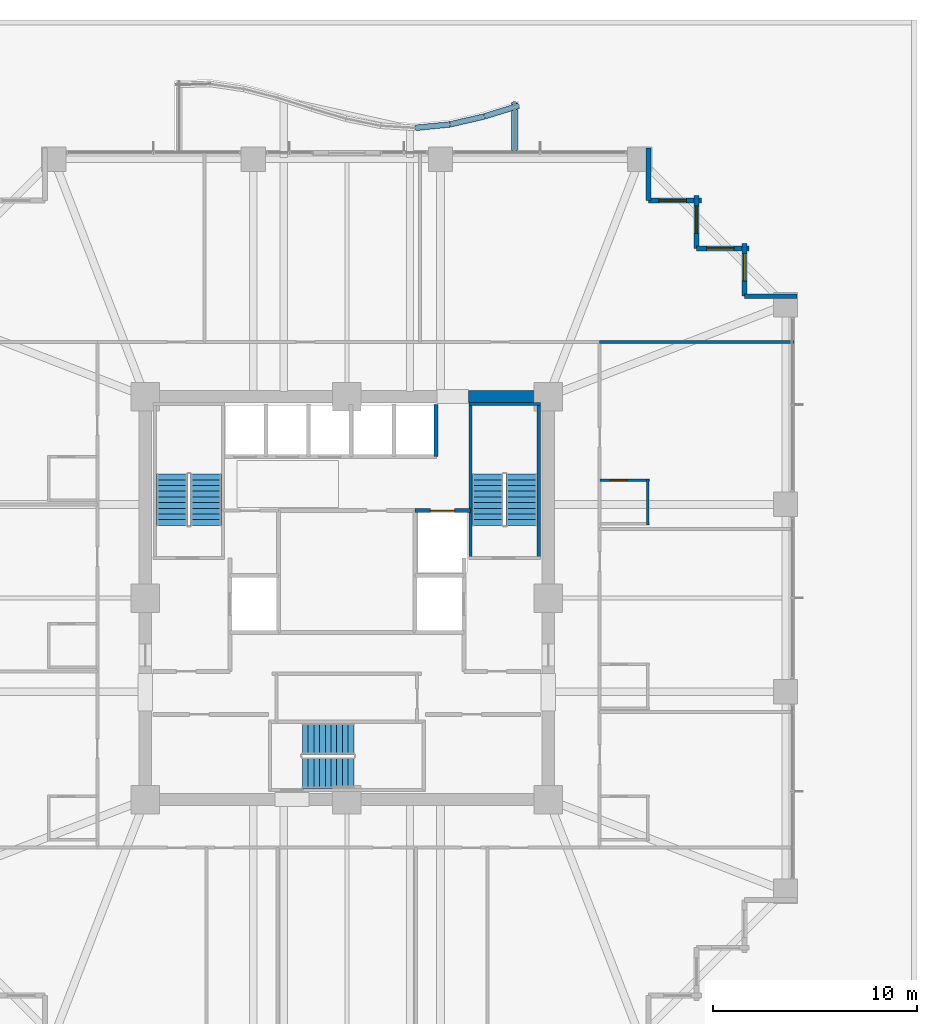
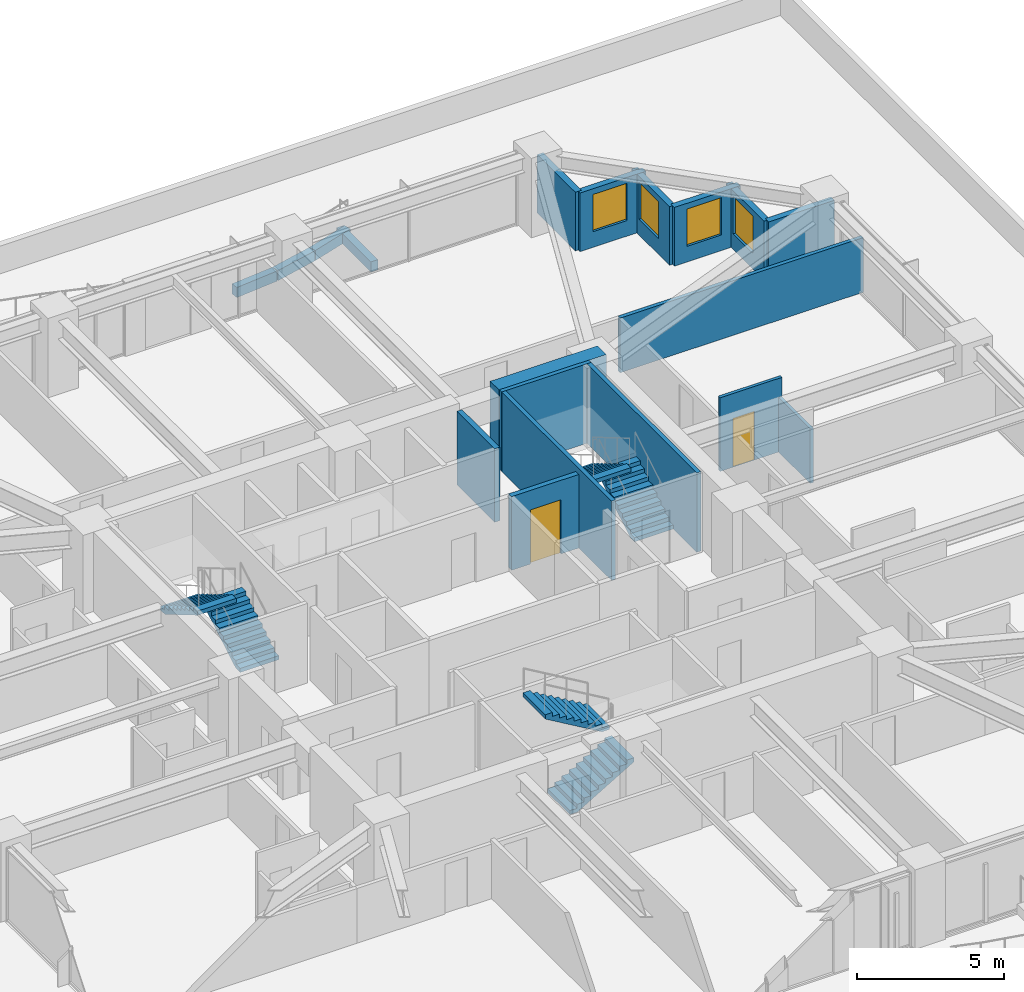
# One storey, part 34 of 36: 19 walls, 6 stair flights, 4 windows, 2 doors, 6 openings, 3 elements without a shape of their own.
"""IFC4 building model written with IfcOpenShell, lengths in metres."""

from ifc_helpers import new_model, si_unit, direction, frame, frame_2d, origin, place, context, subcontext, project, spatial, polyline, rectangle, outline, extrude, material, layer, layer_set, type_object, element, fill, aggregate, save


model = new_model("IFC4")

# Units and contexts
model_context = context("Model", 3, precision=1e-05, world=origin(), true_north=direction((0.0, 1.0)))
body_context = subcontext(model_context, "Body", "Model", "MODEL_VIEW")
ifc_project = project(units=[si_unit("LENGTHUNIT", "METRE"), si_unit("AREAUNIT", "SQUARE_METRE"), si_unit("VOLUMEUNIT", "CUBIC_METRE"), si_unit("PLANEANGLEUNIT", "RADIAN"), si_unit("MASSUNIT", "GRAM", prefix="KILO")], contexts=[model_context])

# Site, building, storey
site_placement = place(None, origin())
site = spatial("IfcSite", under=ifc_project, at=site_placement, CompositionType="ELEMENT")
building_placement = place(site_placement, origin())
building = spatial("IfcBuilding", under=site, at=building_placement, Name="Kolvaren Belvedere", CompositionType="ELEMENT")
storey_placement = place(building_placement, frame((0.0, 0.0, 23.800048828125)))
storey = spatial("IfcBuildingStorey", under=building, at=storey_placement, Name="L06", CompositionType="ELEMENT", Elevation=23.800048828125)

# Walls
ifc_material_1 = material(Name="Concrete C60/75", Category="concrete")
ifc_layer_1 = layer(ifc_material_1, 0.60009765625)
ifc_layer_set_1 = layer_set([ifc_layer_1], Name="Concrete C60/75")
wall_type_1 = type_object("IfcWallType", Name="CW-CORE-600", PredefinedType="SHEAR", material=ifc_layer_set_1)
wall_1_placement = place(storey_placement, frame((5.97998046875, 9.89990234375, 0.0), z_axis=(0.0, 0.0, 1.0), x_axis=(1.0, 0.0, 0.0)))
element("IfcWall", 1, at=wall_1_placement, inside=storey, type_object=wall_type_1, Name="L06 North Core Shear Wall 2", PredefinedType="SHEAR", context=body_context, shape_type="SweptSolid", body=[
    extrude(rectangle(XDim=4.219970703125, YDim=0.60009765625, at=frame_2d((2.10986328125, 0.0))), origin(), (0.0, 0.0, 1.0), 3.300048828125),
])
ifc_material_2 = material(Name="Concrete C50/60", Category="concrete")
ifc_layer_2 = layer(ifc_material_2, 0.159912109375)
ifc_layer_set_2 = layer_set([ifc_layer_2], Name="Concrete C50/60")
wall_type_2 = type_object("IfcWallType", Name="CW-STAIR-160", PredefinedType="SHEAR", material=ifc_layer_set_2)
wall_2_placement = place(storey_placement, frame((6.0, 9.530029296875, 0.0), z_axis=(0.0, 0.0, 1.0), x_axis=(1.0, 0.0, 0.0)))
element("IfcWall", 2, at=wall_2_placement, inside=storey, type_object=wall_type_2, Name="L06 Stair ST-2 North Shear Wall", PredefinedType="SHEAR", context=body_context, shape_type="SweptSolid", body=[
    extrude(rectangle(XDim=3.52001953125, YDim=0.159912109375, at=frame_2d((1.760009765625, 0.0))), origin(), (0.0, 0.0, 1.0), 3.300048828125),
])
for number, where, z_axis, x_axis, name in (
    (3, (6.080078125, 1.969970703125, 0.0), (0.0, 0.0, 1.0), (0.0, 1.0, 0.0), "L06 Stair ST-2 West Shear Wall"),
    (4, (9.429931640625, 1.969970703125, 0.0), (0.0, 0.0, 1.0), (0.0, 1.0, 0.0), "L06 Stair ST-2 East Shear Wall"),
):
    element("IfcWall", number, at=place(storey_placement, frame(where, z_axis=z_axis, x_axis=x_axis)), inside=storey, type_object=wall_type_2, Name=name, PredefinedType="SHEAR", context=body_context, shape_type="SweptSolid", body=[
        extrude(rectangle(XDim=7.56005859375, YDim=0.159912109375, at=frame_2d((3.780029296875, 0.0))), origin(), (0.0, 0.0, 1.0), 3.300048828125),
    ])
ifc_material_3 = material(Name="Insulated pale-metal facade wall assembly", Category="aluminium")
ifc_layer_3 = layer(ifc_material_3, 0.239990234375)
ifc_layer_set_3 = layer_set([ifc_layer_3], Name="Insulated pale-metal facade wall assembly")
wall_type_3 = type_object("IfcWallType", Name="WL-EXT-240", PredefinedType="STANDARD", material=ifc_layer_set_3)
wall_3_placement = place(storey_placement, frame((19.530029296875, 14.830078125, 0.0), z_axis=(0.0, 0.0, 1.0), x_axis=(1.0, 0.0, 0.0)))
element("IfcWall", 5, at=wall_3_placement, inside=storey, type_object=wall_type_3, Name="L06 Serrated Corner Facade Wall 9", PredefinedType="STANDARD", context=body_context, shape_type="SweptSolid", body=[
    extrude(rectangle(XDim=2.590087890625, YDim=0.239990234375, at=frame_2d((1.294921875, 0.0))), origin(), (0.0, 0.0, 1.0), 2.43896484375),
])

# Wall, opening, window
wall_4_placement = place(storey_placement, frame((19.530029296875, 17.419921875, 0.0), z_axis=(0.0, 0.0, 1.0), x_axis=(0.0, -1.0, 0.0)))
wall_4 = element("IfcWall", 6, at=wall_4_placement, inside=storey, type_object=wall_type_3, Name="L06 Serrated Corner Facade Wall 10", PredefinedType="STANDARD", context=body_context, shape_type="SweptSolid", body=[
    extrude(rectangle(XDim=2.58984375, YDim=0.239990234375, at=frame_2d((1.294921875, 0.0))), origin(), (0.0, 0.0, 1.0), 2.43896484375),
])
opening_1_placement = place(wall_4_placement, frame((0.5, 0.0, 0.64990234375)))
opening_1 = element("IfcOpeningElement", 7, at=opening_1_placement, cuts=wall_4, Name="Opening W-1350", PredefinedType="OPENING", context=body_context, shape_type="SweptSolid", body=[
    extrude(rectangle(XDim=1.35009765625, YDim=1.550048828125, at=frame_2d((0.675048828125, 0.77490234375))), frame((0.0, 0.1298828125, 0.0), z_axis=(0.0, -1.0, 0.0), x_axis=(1.0, 0.0, 0.0)), (0.0, 0.0, 1.0), 0.260009765625),
])
ifc_material_4 = material(Name="Low-iron triple insulated glass", Category="glass")
window_type = type_object("IfcWindowType", Name="WN-CORN-1350", PartitioningType="SINGLE_PANEL", PredefinedType="WINDOW", material=ifc_material_4)
window_1_placement = place(opening_1_placement, origin())
window_1 = element("IfcWindow", 8, at=window_1_placement, inside=storey, type_object=window_type, Name="L06 Serrated Corner Vision Window 10", OverallHeight=1.550048828125, OverallWidth=1.35009765625, PartitioningType="SINGLE_PANEL", PredefinedType="WINDOW", context=body_context, shape_type="SweptSolid", body=[
    extrude(rectangle(XDim=1.35009765625, YDim=1.550048828125, at=frame_2d((0.675048828125, 0.77490234375))), frame((0.0, 0.030029296875, 0.0), z_axis=(0.0, -1.0, 0.0), x_axis=(1.0, 0.0, 0.0)), (0.0, 0.0, 1.0), 0.06005859375),
])
fill(opening_1, window_1)

wall_5_placement = place(storey_placement, frame((17.179931640625, 17.179931640625, 0.0), z_axis=(0.0, 0.0, 1.0), x_axis=(1.0, 0.0, 0.0)))
wall_5 = element("IfcWall", 9, at=wall_5_placement, inside=storey, type_object=wall_type_3, Name="L06 Serrated Corner Facade Wall 11", PredefinedType="STANDARD", context=body_context, shape_type="SweptSolid", body=[
    extrude(rectangle(XDim=2.590087890625, YDim=0.239990234375, at=frame_2d((1.294921875, 0.0))), origin(), (0.0, 0.0, 1.0), 2.43896484375),
])
opening_2_placement = place(wall_5_placement, frame((0.5, 0.0, 0.64990234375)))
opening_2 = element("IfcOpeningElement", 10, at=opening_2_placement, cuts=wall_5, Name="Opening W-1350", PredefinedType="OPENING", context=body_context, shape_type="SweptSolid", body=[
    extrude(rectangle(XDim=1.35009765625, YDim=1.550048828125, at=frame_2d((0.675048828125, 0.77490234375))), frame((0.0, 0.1298828125, 0.0), z_axis=(0.0, -1.0, 0.0), x_axis=(1.0, 0.0, 0.0)), (0.0, 0.0, 1.0), 0.260009765625),
])
window_2_placement = place(opening_2_placement, origin())
window_2 = element("IfcWindow", 11, at=window_2_placement, inside=storey, type_object=window_type, Name="L06 Serrated Corner Vision Window 11", OverallHeight=1.550048828125, OverallWidth=1.35009765625, PartitioningType="SINGLE_PANEL", PredefinedType="WINDOW", context=body_context, shape_type="SweptSolid", body=[
    extrude(rectangle(XDim=1.35009765625, YDim=1.550048828125, at=frame_2d((0.675048828125, 0.77490234375))), frame((0.0, 0.030029296875, 0.0), z_axis=(0.0, -1.0, 0.0), x_axis=(1.0, 0.0, 0.0)), (0.0, 0.0, 1.0), 0.06005859375),
])
fill(opening_2, window_2)

wall_6_placement = place(storey_placement, frame((17.179931640625, 19.77001953125, 0.0), z_axis=(0.0, 0.0, 1.0), x_axis=(0.0, -1.0, 0.0)))
wall_6 = element("IfcWall", 12, at=wall_6_placement, inside=storey, type_object=wall_type_3, Name="L06 Serrated Corner Facade Wall 12", PredefinedType="STANDARD", context=body_context, shape_type="SweptSolid", body=[
    extrude(rectangle(XDim=2.590087890625, YDim=0.239990234375, at=frame_2d((1.294921875, 0.0))), origin(), (0.0, 0.0, 1.0), 2.43896484375),
])
opening_3_placement = place(wall_6_placement, frame((0.5, 0.0, 0.64990234375)))
opening_3 = element("IfcOpeningElement", 13, at=opening_3_placement, cuts=wall_6, Name="Opening W-1350", PredefinedType="OPENING", context=body_context, shape_type="SweptSolid", body=[
    extrude(rectangle(XDim=1.35009765625, YDim=1.550048828125, at=frame_2d((0.675048828125, 0.77490234375))), frame((0.0, 0.1298828125, 0.0), z_axis=(0.0, -1.0, 0.0), x_axis=(1.0, 0.0, 0.0)), (0.0, 0.0, 1.0), 0.260009765625),
])
window_3_placement = place(opening_3_placement, origin())
window_3 = element("IfcWindow", 14, at=window_3_placement, inside=storey, type_object=window_type, Name="L06 Serrated Corner Vision Window 12", OverallHeight=1.550048828125, OverallWidth=1.35009765625, PartitioningType="SINGLE_PANEL", PredefinedType="WINDOW", context=body_context, shape_type="SweptSolid", body=[
    extrude(rectangle(XDim=1.35009765625, YDim=1.550048828125, at=frame_2d((0.675048828125, 0.77490234375))), frame((0.0, 0.030029296875, 0.0), z_axis=(0.0, -1.0, 0.0), x_axis=(1.0, 0.0, 0.0)), (0.0, 0.0, 1.0), 0.06005859375),
])
fill(opening_3, window_3)

wall_7_placement = place(storey_placement, frame((14.830078125, 19.530029296875, 0.0), z_axis=(0.0, 0.0, 1.0), x_axis=(1.0, 0.0, 0.0)))
wall_7 = element("IfcWall", 15, at=wall_7_placement, inside=storey, type_object=wall_type_3, Name="L06 Serrated Corner Facade Wall 13", PredefinedType="STANDARD", context=body_context, shape_type="SweptSolid", body=[
    extrude(rectangle(XDim=2.58984375, YDim=0.239990234375, at=frame_2d((1.294921875, 0.0))), origin(), (0.0, 0.0, 1.0), 2.43896484375),
])
opening_4_placement = place(wall_7_placement, frame((0.5, 0.0, 0.64990234375)))
opening_4 = element("IfcOpeningElement", 16, at=opening_4_placement, cuts=wall_7, Name="Opening W-1350", PredefinedType="OPENING", context=body_context, shape_type="SweptSolid", body=[
    extrude(rectangle(XDim=1.35009765625, YDim=1.550048828125, at=frame_2d((0.675048828125, 0.77490234375))), frame((0.0, 0.1298828125, 0.0), z_axis=(0.0, -1.0, 0.0), x_axis=(1.0, 0.0, 0.0)), (0.0, 0.0, 1.0), 0.260009765625),
])
window_4_placement = place(opening_4_placement, origin())
window_4 = element("IfcWindow", 17, at=window_4_placement, inside=storey, type_object=window_type, Name="L06 Serrated Corner Vision Window 13", OverallHeight=1.550048828125, OverallWidth=1.35009765625, PartitioningType="SINGLE_PANEL", PredefinedType="WINDOW", context=body_context, shape_type="SweptSolid", body=[
    extrude(rectangle(XDim=1.35009765625, YDim=1.550048828125, at=frame_2d((0.675048828125, 0.77490234375))), frame((0.0, 0.030029296875, 0.0), z_axis=(0.0, -1.0, 0.0), x_axis=(1.0, 0.0, 0.0)), (0.0, 0.0, 1.0), 0.06005859375),
])
fill(opening_4, window_4)

# Walls
wall_8_placement = place(storey_placement, frame((14.830078125, 22.1201171875, 0.0), z_axis=(0.0, 0.0, 1.0), x_axis=(0.0, -1.0, 0.0)))
element("IfcWall", 18, at=wall_8_placement, inside=storey, type_object=wall_type_3, Name="L06 Serrated Corner Facade Wall 14", PredefinedType="STANDARD", context=body_context, shape_type="SweptSolid", body=[
    extrude(rectangle(XDim=2.590087890625, YDim=0.239990234375, at=frame_2d((1.294921875, 0.0))), origin(), (0.0, 0.0, 1.0), 2.43896484375),
])
ifc_material_5 = material(Name="Gypsum acoustic partition assembly", Category="gypsum")
ifc_layer_4 = layer(ifc_material_5, 0.14990234375)
ifc_layer_set_4 = layer_set([ifc_layer_4], Name="Gypsum acoustic partition assembly")
wall_type_4 = type_object("IfcWallType", Name="WL-PART-150", PredefinedType="PARTITIONING", material=ifc_layer_set_4)
wall_9_placement = place(storey_placement, frame((12.419921875, 12.580078125, 0.0), z_axis=(0.0, 0.0, 1.0), x_axis=(1.0, 0.0, 0.0)))
element("IfcWall", 19, at=wall_9_placement, inside=storey, type_object=wall_type_4, Name="L06 Wing Divider PW-L06-QNE", PredefinedType="PARTITIONING", context=body_context, shape_type="SweptSolid", body=[
    extrude(rectangle(XDim=9.56005859375, YDim=0.14990234375, at=frame_2d((4.780029296875, 0.0))), origin(), (0.0, 0.0, 1.0), 2.27197265625),
])
ifc_material_6 = material(Name="Precast concrete C40/50", Category="concrete")
ifc_layer_5 = layer(ifc_material_6, 0.300048828125)
ifc_layer_set_5 = layer_set([ifc_layer_5], Name="Precast concrete C40/50")
wall_type_5 = type_object("IfcWallType", Name="WL-PLANTER-300", PredefinedType="PARAPET", material=ifc_layer_set_5)
wall_10_placement = place(storey_placement, frame((8.239990234375, 22.0, -0.06005859375), z_axis=(0.0, 0.0, 1.0), x_axis=(0.0, 1.0, 0.0)))
element("IfcWall", 20, at=wall_10_placement, inside=storey, type_object=wall_type_5, Name="L06 Precast Structural Planter Wall BAL-N-11", PredefinedType="PARAPET", context=body_context, shape_type="SweptSolid", body=[
    extrude(rectangle(XDim=2.340087890625, YDim=0.280029296875, at=frame_2d((1.169921875, 0.0))), origin(), (0.0, 0.0, 1.0), 0.419921875),
])
wall_11_placement = place(storey_placement, frame((8.447265625, 24.187255859375, -0.06005859375), z_axis=(0.0, 0.0, 1.0), x_axis=(-0.95524013163, -0.295831524561, 0.0)))
element("IfcWall", 21, at=wall_11_placement, inside=storey, type_object=wall_type_5, Name="L06 Precast Structural Planter Wall BAL-N-12", PredefinedType="PARAPET", context=body_context, shape_type="SweptSolid", body=[
    extrude(rectangle(XDim=1.758544921875, YDim=0.280029296875, at=frame_2d((0.87939453125, 0.0))), origin(), (0.0, 0.0, 1.0), 0.419921875),
])
wall_12_placement = place(storey_placement, frame((6.75634765625, 23.663818359375, -0.06005859375), z_axis=(0.0, 0.0, 1.0), x_axis=(-0.973890253884, -0.227019323824, 0.0)))
element("IfcWall", 22, at=wall_12_placement, inside=storey, type_object=wall_type_5, Name="L06 Precast Structural Planter Wall BAL-N-13", PredefinedType="PARAPET", context=body_context, shape_type="SweptSolid", body=[
    extrude(rectangle(XDim=1.724853515625, YDim=0.280029296875, at=frame_2d((0.8623046875, 0.0))), origin(), (0.0, 0.0, 1.0), 0.419921875),
])
wall_13_placement = place(storey_placement, frame((5.0556640625, 23.268798828125, -0.06005859375), z_axis=(0.0, 0.0, 1.0), x_axis=(-0.995152499202, -0.098343801694, 0.0)))
element("IfcWall", 23, at=wall_13_placement, inside=storey, type_object=wall_type_5, Name="L06 Precast Structural Planter Wall BAL-N-14", PredefinedType="PARAPET", context=body_context, shape_type="SweptSolid", body=[
    extrude(rectangle(XDim=1.688232421875, YDim=0.280029296875, at=frame_2d((0.84423828125, 0.0))), origin(), (0.0, 0.0, 1.0), 0.419921875),
])

# Wall, opening, door
ifc_material_7 = material(Name="Concrete C50/60", Category="concrete")
ifc_layer_6 = layer(ifc_material_7, 0.199951171875)
ifc_layer_set_6 = layer_set([ifc_layer_6], Name="Concrete C50/60")
wall_type_6 = type_object("IfcWallType", Name="WL-SHAFT-200", PredefinedType="SOLIDWALL", material=ifc_layer_set_6)
wall_14_placement = place(storey_placement, frame((3.35009765625, 4.300048828125, 0.0), z_axis=(0.0, 0.0, 1.0), x_axis=(1.0, 0.0, 0.0)))
wall_14 = element("IfcWall", 24, at=wall_14_placement, inside=storey, type_object=wall_type_6, Name="L06 Service Lift SV1 Front Wall", PredefinedType="SOLIDWALL", context=body_context, shape_type="SweptSolid", body=[
    extrude(rectangle(XDim=2.72998046875, YDim=0.199951171875, at=frame_2d((1.364990234375, 0.0))), origin(), (0.0, 0.0, 1.0), 3.06005859375),
])
opening_5_placement = place(wall_14_placement, frame((0.75, 0.0, 0.0)))
opening_5 = element("IfcOpeningElement", 25, at=opening_5_placement, cuts=wall_14, Name="Opening LD-12", PredefinedType="OPENING", context=body_context, shape_type="SweptSolid", body=[
    extrude(rectangle(XDim=1.199951171875, YDim=2.25, at=frame_2d((0.60009765625, 1.125))), frame((0.0, 0.10986328125, 0.0), z_axis=(0.0, -1.0, 0.0), x_axis=(1.0, 0.0, 0.0)), (0.0, 0.0, 1.0), 0.219970703125),
])
ifc_material_8 = material(Name="Brushed stainless steel", Category="steel")
door_type_1 = type_object("IfcDoorType", Name="DR-LIFT-1200", OperationType="DOUBLE_DOOR_SLIDING", PredefinedType="DOOR", material=ifc_material_8)
door_1_placement = place(opening_5_placement, origin())
door_1 = element("IfcDoor", 26, at=door_1_placement, inside=storey, type_object=door_type_1, Name="L06 Service Lift SV1 Landing Door", OperationType="DOUBLE_DOOR_SLIDING", OverallHeight=2.25, OverallWidth=1.199951171875, PredefinedType="DOOR", context=body_context, shape_type="SweptSolid", body=[
    extrude(rectangle(XDim=1.199951171875, YDim=2.25, at=frame_2d((0.60009765625, 1.125))), frame((0.0, 0.02490234375, 0.0), z_axis=(0.0, -1.0, 0.0), x_axis=(1.0, 0.0, 0.0)), (0.0, 0.0, 1.0), 0.050048828125),
])
fill(opening_5, door_1)

# Wall
wall_15_placement = place(storey_placement, frame((4.3798828125, 6.949951171875, 0.0), z_axis=(0.0, 0.0, 1.0), x_axis=(0.0, 1.0, 0.0)))
element("IfcWall", 27, at=wall_15_placement, inside=storey, type_object=wall_type_6, Name="L06 Express Shuttle East Wall", PredefinedType="SOLIDWALL", context=body_context, shape_type="SweptSolid", body=[
    extrude(rectangle(XDim=2.570068359375, YDim=0.199951171875, at=frame_2d((1.28515625, 0.0))), origin(), (0.0, 0.0, 1.0), 3.06005859375),
])

# Wall, opening, door
ifc_material_9 = material(Name="Moisture-resistant gypsum partition", Category="gypsum")
ifc_layer_7 = layer(ifc_material_9, 0.125)
ifc_layer_set_7 = layer_set([ifc_layer_7], Name="Moisture-resistant gypsum partition")
wall_type_7 = type_object("IfcWallType", Name="WL-WET-125", PredefinedType="PARTITIONING", material=ifc_layer_set_7)
wall_16_placement = place(storey_placement, frame((12.43505859375, 5.7939453125, 0.0), z_axis=(0.0, 0.0, 1.0), x_axis=(1.0, 0.0, 0.0)))
wall_16 = element("IfcWall", 28, at=wall_16_placement, inside=storey, type_object=wall_type_7, Name="L06 Bathroom Partition PW-L06-BTH-8-N", PredefinedType="PARTITIONING", context=body_context, shape_type="SweptSolid", body=[
    extrude(rectangle(XDim=2.43994140625, YDim=0.125, at=frame_2d((1.219970703125, 0.0))), origin(), (0.0, 0.0, 1.0), 3.06005859375),
])
opening_6_placement = place(wall_16_placement, frame((0.5, 0.0, 0.0)))
opening_6 = element("IfcOpeningElement", 29, at=opening_6_placement, cuts=wall_16, Name="Opening D-BTH85", PredefinedType="OPENING", context=body_context, shape_type="SweptSolid", body=[
    extrude(rectangle(XDim=0.85009765625, YDim=2.030029296875, at=frame_2d((0.425048828125, 1.01513671875))), frame((0.0, 0.072509765625, 0.0), z_axis=(0.0, -1.0, 0.0), x_axis=(1.0, 0.0, 0.0)), (0.0, 0.0, 1.0), 0.14501953125),
])
ifc_material_10 = material(Name="Moisture-sealed Pacific white oak", Category="timber")
door_type_2 = type_object("IfcDoorType", Name="DR-BATH-850", OperationType="NOTDEFINED", PredefinedType="DOOR", material=ifc_material_10)
door_2_placement = place(opening_6_placement, origin())
door_2 = element("IfcDoor", 30, at=door_2_placement, inside=storey, type_object=door_type_2, Name="L06 En-Suite Bathroom 608 Door", OperationType="SINGLE_SWING_RIGHT", OverallHeight=2.030029296875, OverallWidth=0.85009765625, PredefinedType="DOOR", context=body_context, shape_type="SweptSolid", body=[
    extrude(rectangle(XDim=0.85009765625, YDim=2.030029296875, at=frame_2d((0.425048828125, 1.01513671875))), frame((0.0, 0.02490234375, 0.0), z_axis=(0.0, -1.0, 0.0), x_axis=(1.0, 0.0, 0.0)), (0.0, 0.0, 1.0), 0.050048828125),
])
fill(opening_6, door_2)

# Wall
wall_17_placement = place(storey_placement, frame((14.794921875, 3.583984375, 0.0), z_axis=(0.0, 0.0, 1.0), x_axis=(0.0, 1.0, 0.0)))
element("IfcWall", 31, at=wall_17_placement, inside=storey, type_object=wall_type_7, Name="L06 Bathroom Partition PW-L06-BTH-8-V", PredefinedType="PARTITIONING", context=body_context, shape_type="SweptSolid", body=[
    extrude(rectangle(XDim=2.27001953125, YDim=0.125, at=frame_2d((1.135009765625, 0.0))), origin(), (0.0, 0.0, 1.0), 2.27197265625),
])

# Stair, stair flights
ifc_material_11 = material(Name="Concrete C50/60", Category="concrete")
stair_type = type_object("IfcStairType", Name="ST-CORE-1520", PredefinedType="HALF_TURN_STAIR", material=ifc_material_11)
stair_1_placement = place(storey_placement, origin())
stair_1 = element("IfcStair", 32, at=stair_1_placement, inside=storey, type_object=stair_type, Name="L06 Protected Exit Stair ST-1", PredefinedType="HALF_TURN_STAIR")
ifc_material_12 = material(Name="Concrete C50/60", Category="concrete")
stair_flight_type = type_object("IfcStairFlightType", Name="SF-STR-1520", PredefinedType="STRAIGHT", material=ifc_material_12)
stair_flight_1_placement = place(storey_placement, frame((-6.919921875, 3.570068359375, 0.0), z_axis=(0.0, 0.0, 1.0), x_axis=(0.0, 1.0, 0.0)))
stair_flight_1 = element("IfcStairFlight", 33, at=stair_flight_1_placement, type_object=stair_flight_type, Name="ST-1 flight 1", NumberOfRisers=10, NumberOfTreads=9, PredefinedType="STRAIGHT", RiserHeight=0.165, TreadLength=0.28, context=body_context, shape_type="SweptSolid", body=[
    extrude(outline(polyline([(0.0, 0.0), (0.0, 0.1650390625), (0.280029296875, 0.1650390625), (0.280029296875, 0.330078125), (0.56005859375, 0.330078125), (0.56005859375, 0.4951171875), (0.840087890625, 0.4951171875), (0.840087890625, 0.659912109375), (1.1201171875, 0.659912109375), (1.1201171875, 0.824951171875), (1.39990234375, 0.824951171875), (1.39990234375, 0.989990234375), (1.679931640625, 0.989990234375), (1.679931640625, 1.155029296875), (1.9599609375, 1.155029296875), (1.9599609375, 1.320068359375), (2.239990234375, 1.320068359375), (2.239990234375, 1.485107421875), (2.52001953125, 1.485107421875), (2.52001953125, 1.64990234375), (2.52001953125, 1.31103515625), (0.295166015625, 0.0), (0.0, 0.0)])), frame((0.0, 0.760009765625, 0.0), z_axis=(0.0, -1.0, 0.0), x_axis=(1.0, 0.0, 0.0)), (0.0, 0.0, 1.0), 1.52001953125),
])
stair_flight_2_placement = place(storey_placement, frame((-8.590087890625, 6.090087890625, 1.64990234375), z_axis=(0.0, 0.0, 1.0), x_axis=(0.0, -1.0, 0.0)))
stair_flight_2 = element("IfcStairFlight", 34, at=stair_flight_2_placement, type_object=stair_flight_type, Name="ST-1 flight 2", NumberOfRisers=10, NumberOfTreads=9, PredefinedType="STRAIGHT", RiserHeight=0.165, TreadLength=0.28, context=body_context, shape_type="SweptSolid", body=[
    extrude(outline(polyline([(0.0, 0.0), (0.0, 0.1650390625), (0.280029296875, 0.1650390625), (0.280029296875, 0.330078125), (0.56005859375, 0.330078125), (0.56005859375, 0.4951171875), (0.840087890625, 0.4951171875), (0.840087890625, 0.659912109375), (1.1201171875, 0.659912109375), (1.1201171875, 0.824951171875), (1.39990234375, 0.824951171875), (1.39990234375, 0.989990234375), (1.679931640625, 0.989990234375), (1.679931640625, 1.155029296875), (1.9599609375, 1.155029296875), (1.9599609375, 1.320068359375), (2.239990234375, 1.320068359375), (2.239990234375, 1.485107421875), (2.52001953125, 1.485107421875), (2.52001953125, 1.64990234375), (2.52001953125, 1.31103515625), (0.295166015625, 0.0), (0.0, 0.0)])), frame((0.0, 0.760009765625, 0.0), z_axis=(0.0, -1.0, 0.0), x_axis=(1.0, 0.0, 0.0)), (0.0, 0.0, 1.0), 1.52001953125),
])
aggregate(stair_1, [stair_flight_1, stair_flight_2])

stair_2_placement = place(storey_placement, origin())
stair_2 = element("IfcStair", 35, at=stair_2_placement, inside=storey, type_object=stair_type, Name="L06 Protected Exit Stair ST-2", PredefinedType="HALF_TURN_STAIR")
stair_flight_3_placement = place(storey_placement, frame((8.590087890625, 3.570068359375, 0.0), z_axis=(0.0, 0.0, 1.0), x_axis=(0.0, 1.0, 0.0)))
stair_flight_3 = element("IfcStairFlight", 36, at=stair_flight_3_placement, type_object=stair_flight_type, Name="ST-2 flight 1", NumberOfRisers=10, NumberOfTreads=9, PredefinedType="STRAIGHT", RiserHeight=0.165, TreadLength=0.28, context=body_context, shape_type="SweptSolid", body=[
    extrude(outline(polyline([(0.0, 0.0), (0.0, 0.1650390625), (0.280029296875, 0.1650390625), (0.280029296875, 0.330078125), (0.56005859375, 0.330078125), (0.56005859375, 0.4951171875), (0.840087890625, 0.4951171875), (0.840087890625, 0.659912109375), (1.1201171875, 0.659912109375), (1.1201171875, 0.824951171875), (1.39990234375, 0.824951171875), (1.39990234375, 0.989990234375), (1.679931640625, 0.989990234375), (1.679931640625, 1.155029296875), (1.9599609375, 1.155029296875), (1.9599609375, 1.320068359375), (2.239990234375, 1.320068359375), (2.239990234375, 1.485107421875), (2.52001953125, 1.485107421875), (2.52001953125, 1.64990234375), (2.52001953125, 1.31103515625), (0.295166015625, 0.0), (0.0, 0.0)])), frame((0.0, 0.760009765625, 0.0), z_axis=(0.0, -1.0, 0.0), x_axis=(1.0, 0.0, 0.0)), (0.0, 0.0, 1.0), 1.52001953125),
])
stair_flight_4_placement = place(storey_placement, frame((6.919921875, 6.090087890625, 1.64990234375), z_axis=(0.0, 0.0, 1.0), x_axis=(0.0, -1.0, 0.0)))
stair_flight_4 = element("IfcStairFlight", 37, at=stair_flight_4_placement, type_object=stair_flight_type, Name="ST-2 flight 2", NumberOfRisers=10, NumberOfTreads=9, PredefinedType="STRAIGHT", RiserHeight=0.165, TreadLength=0.28, context=body_context, shape_type="SweptSolid", body=[
    extrude(outline(polyline([(0.0, 0.0), (0.0, 0.1650390625), (0.280029296875, 0.1650390625), (0.280029296875, 0.330078125), (0.56005859375, 0.330078125), (0.56005859375, 0.4951171875), (0.840087890625, 0.4951171875), (0.840087890625, 0.659912109375), (1.1201171875, 0.659912109375), (1.1201171875, 0.824951171875), (1.39990234375, 0.824951171875), (1.39990234375, 0.989990234375), (1.679931640625, 0.989990234375), (1.679931640625, 1.155029296875), (1.9599609375, 1.155029296875), (1.9599609375, 1.320068359375), (2.239990234375, 1.320068359375), (2.239990234375, 1.485107421875), (2.52001953125, 1.485107421875), (2.52001953125, 1.64990234375), (2.52001953125, 1.31103515625), (0.295166015625, 0.0), (0.0, 0.0)])), frame((0.0, 0.760009765625, 0.0), z_axis=(0.0, -1.0, 0.0), x_axis=(1.0, 0.0, 0.0)), (0.0, 0.0, 1.0), 1.52001953125),
])
aggregate(stair_2, [stair_flight_3, stair_flight_4])

stair_3_placement = place(storey_placement, origin())
stair_3 = element("IfcStair", 38, at=stair_3_placement, inside=storey, type_object=stair_type, Name="L06 Protected Exit Stair ST-3", PredefinedType="HALF_TURN_STAIR")
stair_flight_5_placement = place(storey_placement, frame((-2.179931640625, -8.590087890625, 0.0), z_axis=(0.0, 0.0, 1.0), x_axis=(1.0, 0.0, 0.0)))
stair_flight_5 = element("IfcStairFlight", 39, at=stair_flight_5_placement, type_object=stair_flight_type, Name="ST-3 flight 1", NumberOfRisers=10, NumberOfTreads=9, PredefinedType="STRAIGHT", RiserHeight=0.165, TreadLength=0.28, context=body_context, shape_type="SweptSolid", body=[
    extrude(outline(polyline([(0.0, 0.0), (0.0, 0.1650390625), (0.280029296875, 0.1650390625), (0.280029296875, 0.330078125), (0.56005859375, 0.330078125), (0.56005859375, 0.4951171875), (0.840087890625, 0.4951171875), (0.840087890625, 0.659912109375), (1.1201171875, 0.659912109375), (1.1201171875, 0.824951171875), (1.39990234375, 0.824951171875), (1.39990234375, 0.989990234375), (1.679931640625, 0.989990234375), (1.679931640625, 1.155029296875), (1.9599609375, 1.155029296875), (1.9599609375, 1.320068359375), (2.239990234375, 1.320068359375), (2.239990234375, 1.485107421875), (2.52001953125, 1.485107421875), (2.52001953125, 1.64990234375), (2.52001953125, 1.31103515625), (0.295166015625, 0.0), (0.0, 0.0)])), frame((0.0, 0.760009765625, 0.0), z_axis=(0.0, -1.0, 0.0), x_axis=(1.0, 0.0, 0.0)), (0.0, 0.0, 1.0), 1.52001953125),
])
stair_flight_6_placement = place(storey_placement, frame((0.340087890625, -6.919921875, 1.64990234375), z_axis=(0.0, 0.0, 1.0), x_axis=(-1.0, 0.0, 0.0)))
stair_flight_6 = element("IfcStairFlight", 40, at=stair_flight_6_placement, type_object=stair_flight_type, Name="ST-3 flight 2", NumberOfRisers=10, NumberOfTreads=9, PredefinedType="STRAIGHT", RiserHeight=0.165, TreadLength=0.28, context=body_context, shape_type="SweptSolid", body=[
    extrude(outline(polyline([(0.0, 0.0), (0.0, 0.1650390625), (0.280029296875, 0.1650390625), (0.280029296875, 0.330078125), (0.56005859375, 0.330078125), (0.56005859375, 0.4951171875), (0.840087890625, 0.4951171875), (0.840087890625, 0.659912109375), (1.1201171875, 0.659912109375), (1.1201171875, 0.824951171875), (1.39990234375, 0.824951171875), (1.39990234375, 0.989990234375), (1.679931640625, 0.989990234375), (1.679931640625, 1.155029296875), (1.9599609375, 1.155029296875), (1.9599609375, 1.320068359375), (2.239990234375, 1.320068359375), (2.239990234375, 1.485107421875), (2.52001953125, 1.485107421875), (2.52001953125, 1.64990234375), (2.52001953125, 1.31103515625), (0.295166015625, 0.0), (0.0, 0.0)])), frame((0.0, 0.760009765625, 0.0), z_axis=(0.0, -1.0, 0.0), x_axis=(1.0, 0.0, 0.0)), (0.0, 0.0, 1.0), 1.52001953125),
])
aggregate(stair_3, [stair_flight_5, stair_flight_6])

save(model, "model.ifc")
